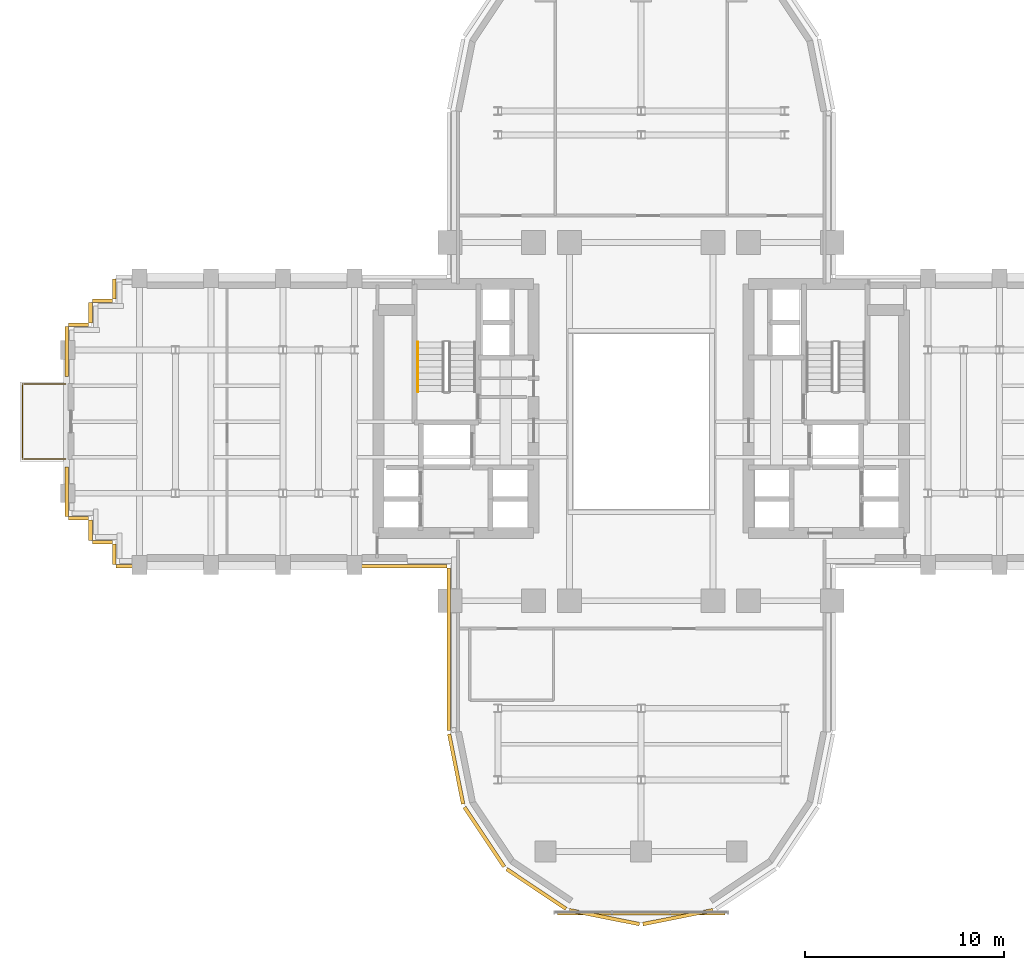
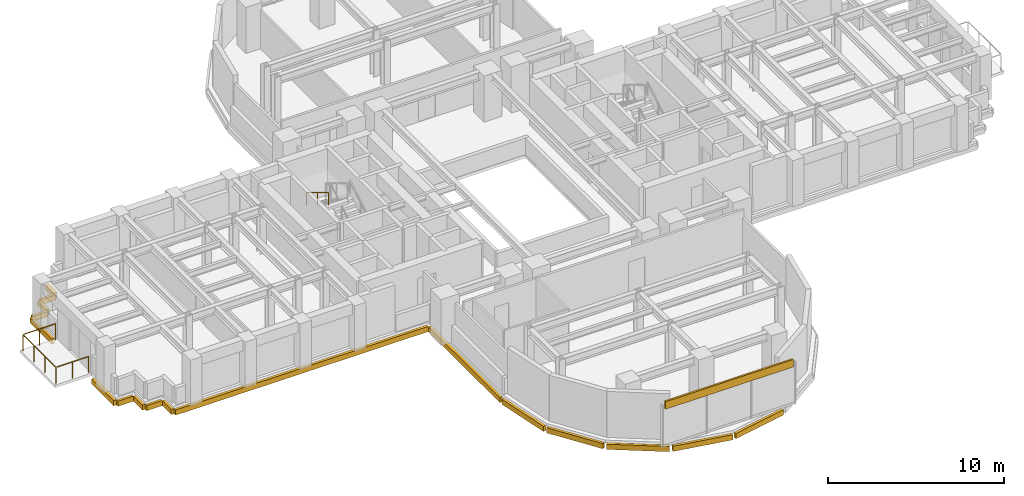
# One storey, part 12 of 14: 18 coverings, 2 railings.
"""IFC4 building model written with IfcOpenShell, lengths in metres."""

from ifc_helpers import new_model, si_unit, direction, frame, origin, origin_2d, place, context, subcontext, project, spatial, rectangle, extrude, source, transform, mapped, material, layer, layer_set, type_object, element, save


model = new_model("IFC4")

# Units and contexts
model_context = context("Model", 3, precision=1e-05, world=origin(), true_north=direction((0.0, 1.0)))
body_context = subcontext(model_context, "Body", "Model", "MODEL_VIEW")
ifc_project = project(units=[si_unit("LENGTHUNIT", "METRE"), si_unit("AREAUNIT", "SQUARE_METRE"), si_unit("VOLUMEUNIT", "CUBIC_METRE"), si_unit("PLANEANGLEUNIT", "RADIAN"), si_unit("MASSUNIT", "GRAM", prefix="KILO")], contexts=[model_context])

# Site, building, storey
site_placement = place(None, origin())
site = spatial("IfcSite", under=ifc_project, at=site_placement, CompositionType="ELEMENT")
building_placement = place(site_placement, origin())
building = spatial("IfcBuilding", under=site, at=building_placement, Name="Keilestroom Media Tower", CompositionType="ELEMENT")
storey_placement = place(building_placement, frame((0.0, 0.0, 44.199951171875)))
storey = spatial("IfcBuildingStorey", under=building, at=storey_placement, Name="L10", CompositionType="ELEMENT", Elevation=44.199951171875)

# Railings
ifc_material_1 = material(Name="Brushed Stainless Steel 1.4301", Category="steel")
railing_type_1 = type_object("IfcRailingType", Name="Stair-Pitch-Handrail-920", PredefinedType="HANDRAIL", material=ifc_material_1)
railing_1_placement = place(storey_placement, frame((-11.2099609375, 3.99609375, 1.888916015625)))
element("IfcRailing", 1, at=railing_1_placement, inside=storey, type_object=railing_type_1, Name="L10 ST-1 stair handrail 2", PredefinedType="HANDRAIL", context=body_context, shape_type="SweptSolid", body=[
    extrude(rectangle(XDim=0.048095703125, YDim=0.048095703125, at=origin_2d()), frame((0.0, 0.0, 0.8759765625), z_axis=(0.0, -0.855433747314, 0.517912255074), x_axis=(1.0, 0.0, 0.0)), (0.0, 0.0, 1.0), 2.91796875),
    extrude(rectangle(XDim=0.0419921875, YDim=0.0419921875, at=origin_2d()), origin(), (0.0, 0.0, 1.0), 0.84375),
    extrude(rectangle(XDim=0.0419921875, YDim=0.0419921875, at=origin_2d()), frame((0.0, -1.248046875, 0.755615234375)), (0.0, 0.0, 1.0), 0.84375),
    extrude(rectangle(XDim=0.0419921875, YDim=0.0419921875, at=origin_2d()), frame((0.0, -2.49609375, 1.51123046875)), (0.0, 0.0, 1.0), 0.84375),
])
ifc_material_2 = material(Name="Laminated Safety Glass & Stainless Steel", Category="steel")
railing_type_2 = type_object("IfcRailingType", Name="Terrace-And-Atrium-Guard-Balustrade-GD-EXT", PredefinedType="BALUSTRADE", material=ifc_material_2)
railing_2_placement = place(storey_placement, frame((-28.919921875, -1.8798828125, 0.0)))
element("IfcRailing", 2, at=railing_2_placement, inside=storey, type_object=railing_type_2, Name="L10 Terrace Perimeter Guard L10-W", PredefinedType="BALUSTRADE", context=body_context, shape_type="SweptSolid", body=[
    extrude(rectangle(XDim=0.048095703125, YDim=0.048095703125, at=origin_2d()), frame((0.0, 0.0, 1.1259765625), z_axis=(-1.0, 0.0, 0.0), x_axis=(0.0, -1.0, 0.0)), (0.0, 0.0, 1.0), 2.112060546875),
    extrude(rectangle(XDim=0.048095703125, YDim=0.048095703125, at=origin_2d()), frame((-2.16015625, 0.048095703125, 1.1259765625), z_axis=(0.0, 1.0, 0.0), x_axis=(-1.0, 0.0, 0.0)), (0.0, 0.0, 1.0), 3.66357421875),
    extrude(rectangle(XDim=0.048095703125, YDim=0.048095703125, at=origin_2d()), frame((-2.112060546875, 3.759765625, 1.1259765625), z_axis=(1.0, 0.0, 0.0), x_axis=(0.0, 1.0, 0.0)), (0.0, 0.0, 1.0), 2.112060546875),
    extrude(rectangle(XDim=0.0419921875, YDim=0.0419921875, at=origin_2d()), origin(), (0.0, 0.0, 1.0), 1.09375),
    extrude(rectangle(XDim=0.0419921875, YDim=0.0419921875, at=origin_2d()), frame((-1.080078125, 0.0, 0.0)), (0.0, 0.0, 1.0), 1.09375),
    extrude(rectangle(XDim=0.0419921875, YDim=0.0419921875, at=origin_2d()), frame((-2.16015625, 0.0, 0.0)), (0.0, 0.0, 1.0), 1.09375),
    extrude(rectangle(XDim=0.0419921875, YDim=0.0419921875, at=origin_2d()), frame((-2.16015625, 1.253173828125, 0.0)), (0.0, 0.0, 1.0), 1.09375),
    extrude(rectangle(XDim=0.0419921875, YDim=0.0419921875, at=origin_2d()), frame((-2.16015625, 2.506591796875, 0.0)), (0.0, 0.0, 1.0), 1.09375),
    extrude(rectangle(XDim=0.0419921875, YDim=0.0419921875, at=origin_2d()), frame((-2.16015625, 3.759765625, 0.0)), (0.0, 0.0, 1.0), 1.09375),
    extrude(rectangle(XDim=0.0419921875, YDim=0.0419921875, at=origin_2d()), frame((-1.080078125, 3.759765625, 0.0)), (0.0, 0.0, 1.0), 1.09375),
    extrude(rectangle(XDim=0.0419921875, YDim=0.0419921875, at=origin_2d()), frame((0.0, 3.759765625, 0.0)), (0.0, 0.0, 1.0), 1.09375),
])

# Coverings
ifc_material_3 = material(Name="Precast concrete C40/50", Category="concrete")
ifc_layer = layer(ifc_material_3, 0.1201171875)
ifc_layer_set = layer_set([ifc_layer], Name="Precast concrete C40/50")
covering_type = type_object("IfcCoveringType", Name="Exterior-Precast-Spandrel-Cladding-Panel-120", PredefinedType="CLADDING", material=ifc_layer_set)
shared_shape_1 = source(origin(), body_context, "Body", "SweptSolid", [
    extrude(rectangle(XDim=8.39990234375, YDim=0.1201171875, at=origin_2d()), origin(), (0.0, 0.0, 1.0), 0.52001953125),
])
covering_1_placement = place(storey_placement, frame((0.0, -24.719970703125, 2.68994140625), z_axis=(0.0, 0.0, 1.0), x_axis=(1.0, 0.0, 0.0)))
element("IfcCovering", 3, at=covering_1_placement, inside=storey, type_object=covering_type, Name="L10 Precast Spandrel Cladding S", PredefinedType="CLADDING", context=body_context, shape_type="MappedRepresentation", body=[
    mapped(shared_shape_1, transform((0.0, 0.0, 0.0), x_axis=(1.0, 0.0, 0.0), y_axis=(0.0, 1.0, 0.0), z_axis=(0.0, 0.0, 1.0), scale=1.0)),
])
shared_shape_2 = source(origin(), body_context, "Body", "SweptSolid", [
    extrude(rectangle(XDim=1.02001953125, YDim=0.179931640625, at=origin_2d()), origin(), (0.0, 0.0, 1.0), 0.360107421875),
])
for number, where, z_axis, x_axis, name in (
    (4, (-26.4599609375, -6.659912109375, -0.5400390625), (0.0, 0.0, 1.0), (0.0, 1.0, 0.0), "L10 Precast Slab-Edge Fascia Cornice 17"),
    (5, (-27.06005859375, -6.06005859375, -0.5400390625), (0.0, 0.0, 1.0), (-1.0, 0.0, 0.0), "L10 Precast Slab-Edge Fascia Cornice 18"),
    (6, (-27.659912109375, -5.4599609375, -0.5400390625), (0.0, 0.0, 1.0), (0.0, 1.0, 0.0), "L10 Precast Slab-Edge Fascia Cornice 19"),
    (7, (-28.260009765625, -4.860107421875, -0.5400390625), (0.0, 0.0, 1.0), (-1.0, 0.0, 0.0), "L10 Precast Slab-Edge Fascia Cornice 20"),
    (8, (-28.260009765625, 4.860107421875, -0.5400390625), (0.0, 0.0, 1.0), (1.0, 0.0, 0.0), "L10 Precast Slab-Edge Fascia Cornice 23"),
    (9, (-27.659912109375, 5.4599609375, -0.5400390625), (0.0, 0.0, 1.0), (0.0, 1.0, 0.0), "L10 Precast Slab-Edge Fascia Cornice 24"),
    (10, (-27.06005859375, 6.06005859375, -0.5400390625), (0.0, 0.0, 1.0), (1.0, 0.0, 0.0), "L10 Precast Slab-Edge Fascia Cornice 25"),
    (11, (-26.4599609375, 6.659912109375, -0.5400390625), (0.0, 0.0, 1.0), (0.0, 1.0, 0.0), "L10 Precast Slab-Edge Fascia Cornice 26"),
):
    element("IfcCovering", number, at=place(storey_placement, frame(where, z_axis=z_axis, x_axis=x_axis)), inside=storey, type_object=covering_type, Name=name, PredefinedType="CLADDING", context=body_context, shape_type="MappedRepresentation", body=[
        mapped(shared_shape_2, transform((0.0, 0.0, 0.0), x_axis=(1.0, 0.0, 0.0), y_axis=(0.0, 1.0, 0.0), z_axis=(0.0, 0.0, 1.0), scale=1.0)),
    ])
shared_shape_3 = source(origin(), body_context, "Body", "SweptSolid", [
    extrude(rectangle(XDim=16.6201171875, YDim=0.179931640625, at=origin_2d()), origin(), (0.0, 0.0, 1.0), 0.360107421875),
])
covering_2_placement = place(storey_placement, frame((-18.06005859375, -7.260009765625, -0.5400390625), z_axis=(0.0, 0.0, 1.0), x_axis=(-1.0, 0.0, 0.0)))
element("IfcCovering", 12, at=covering_2_placement, inside=storey, type_object=covering_type, Name="L10 Precast Slab-Edge Fascia Cornice 16", PredefinedType="CLADDING", context=body_context, shape_type="MappedRepresentation", body=[
    mapped(shared_shape_3, transform((0.0, 0.0, 0.0), x_axis=(1.0, 0.0, 0.0), y_axis=(0.0, 1.0, 0.0), z_axis=(0.0, 0.0, 1.0), scale=1.0)),
])
shared_shape_4 = source(origin(), body_context, "Body", "SweptSolid", [
    extrude(rectangle(XDim=8.166015625, YDim=0.179931640625, at=origin_2d()), origin(), (0.0, 0.0, 1.0), 0.360107421875),
])
covering_3_placement = place(storey_placement, frame((-9.659912109375, -11.43310546875, -0.5400390625), z_axis=(0.0, 0.0, 1.0), x_axis=(0.0, 1.0, 0.0)))
element("IfcCovering", 13, at=covering_3_placement, inside=storey, type_object=covering_type, Name="L10 Precast Slab-Edge Fascia Cornice 15", PredefinedType="CLADDING", context=body_context, shape_type="MappedRepresentation", body=[
    mapped(shared_shape_4, transform((0.0, 0.0, 0.0), x_axis=(1.0, 0.0, 0.0), y_axis=(0.0, 1.0, 0.0), z_axis=(0.0, 0.0, 1.0), scale=1.0)),
])
shared_shape_5 = source(origin(), body_context, "Body", "SweptSolid", [
    extrude(rectangle(XDim=3.58349609375, YDim=0.179931640625, at=origin_2d()), origin(), (0.0, 0.0, 1.0), 0.360107421875),
])
covering_4_placement = place(storey_placement, frame((-9.29296875, -17.45166015625, -0.5400390625), z_axis=(0.0, 0.0, 1.0), x_axis=(-0.195098880975, 0.980783577882, 0.0)))
element("IfcCovering", 14, at=covering_4_placement, inside=storey, type_object=covering_type, Name="L10 Precast Slab-Edge Fascia Cornice 14", PredefinedType="CLADDING", context=body_context, shape_type="MappedRepresentation", body=[
    mapped(shared_shape_5, transform((0.0, 0.0, 0.0), x_axis=(1.0, 0.0, 0.0), y_axis=(0.0, 1.0, 0.0), z_axis=(0.0, 0.0, 1.0), scale=1.0)),
])
shared_shape_6 = source(origin(), body_context, "Body", "SweptSolid", [
    extrude(rectangle(XDim=3.589599609375, YDim=0.179931640625, at=origin_2d()), origin(), (0.0, 0.0, 1.0), 0.360107421875),
])
for number, where, z_axis, x_axis, name in (
    (15, (1.8486328125, -24.893310546875, -0.5400390625), (0.0, 0.0, 1.0), (-0.980783577882, -0.195098880975, 0.0), "L10 Precast Slab-Edge Fascia Cornice 10"),
    (16, (-1.8486328125, -24.893310546875, -0.5400390625), (0.0, 0.0, 1.0), (-0.980783577882, 0.195098880975, 0.0), "L10 Precast Slab-Edge Fascia Cornice 11"),
    (17, (-5.264404296875, -23.478515625, -0.5400390625), (0.0, 0.0, 1.0), (-0.831466703332, 0.555574586577, 0.0), "L10 Precast Slab-Edge Fascia Cornice 12"),
    (18, (-7.878662109375, -20.8642578125, -0.5400390625), (0.0, 0.0, 1.0), (-0.555574586577, 0.831466703332, 0.0), "L10 Precast Slab-Edge Fascia Cornice 13"),
):
    element("IfcCovering", number, at=place(storey_placement, frame(where, z_axis=z_axis, x_axis=x_axis)), inside=storey, type_object=covering_type, Name=name, PredefinedType="CLADDING", context=body_context, shape_type="MappedRepresentation", body=[
        mapped(shared_shape_6, transform((0.0, 0.0, 0.0), x_axis=(1.0, 0.0, 0.0), y_axis=(0.0, 1.0, 0.0), z_axis=(0.0, 0.0, 1.0), scale=1.0)),
    ])
shared_shape_7 = source(origin(), body_context, "Body", "SweptSolid", [
    extrude(rectangle(XDim=2.5, YDim=0.179931640625, at=origin_2d()), origin(), (0.0, 0.0, 1.0), 0.360107421875),
])
for number, where, z_axis, x_axis, name in (
    (19, (-28.860107421875, -3.52001953125, -0.5400390625), (0.0, 0.0, 1.0), (0.0, 1.0, 0.0), "L10 Precast Slab-Edge Fascia Cornice 21"),
    (20, (-28.860107421875, 3.52001953125, -0.5400390625), (0.0, 0.0, 1.0), (0.0, 1.0, 0.0), "L10 Precast Slab-Edge Fascia Cornice 22"),
):
    element("IfcCovering", number, at=place(storey_placement, frame(where, z_axis=z_axis, x_axis=x_axis)), inside=storey, type_object=covering_type, Name=name, PredefinedType="CLADDING", context=body_context, shape_type="MappedRepresentation", body=[
        mapped(shared_shape_7, transform((0.0, 0.0, 0.0), x_axis=(1.0, 0.0, 0.0), y_axis=(0.0, 1.0, 0.0), z_axis=(0.0, 0.0, 1.0), scale=1.0)),
    ])

save(model, "model.ifc")
